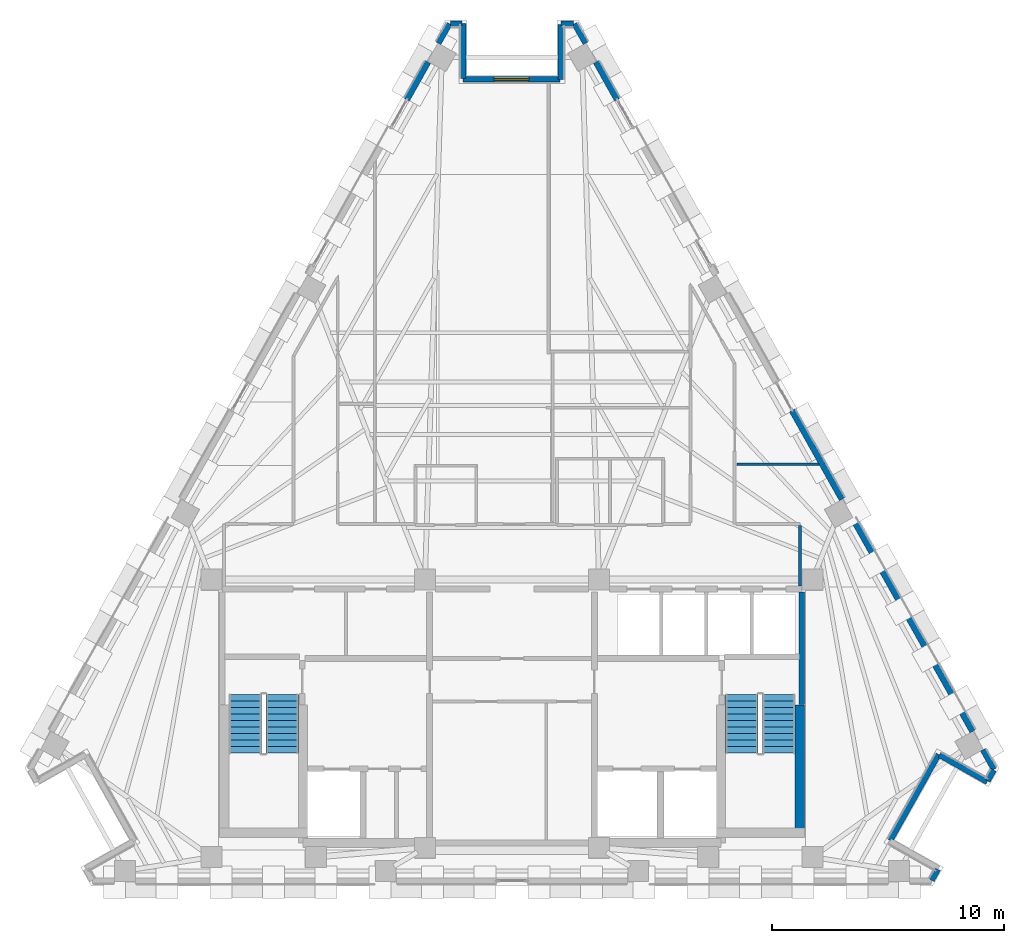
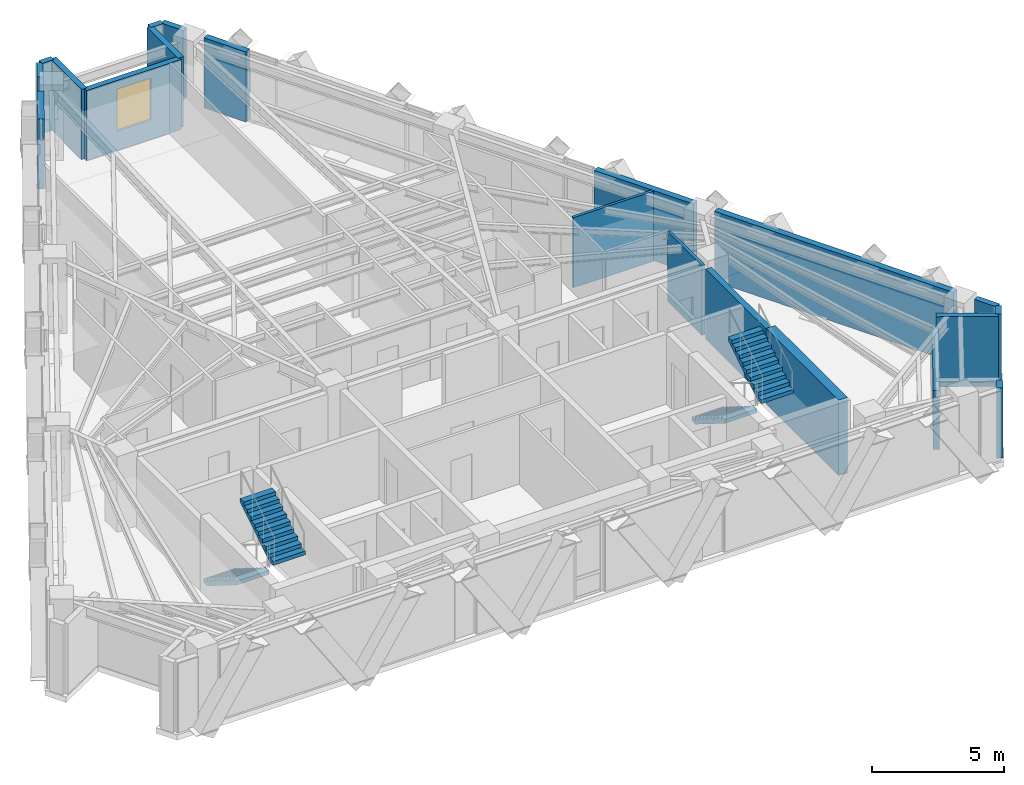
# One storey, part 9 of 12: 20 walls, 4 stair flights, 1 window, 1 opening, 2 elements without a shape of their own.
"""IFC4 building model written with IfcOpenShell, lengths in metres."""

from ifc_helpers import new_model, si_unit, direction, frame, frame_2d, origin, place, context, subcontext, project, spatial, polyline, rectangle, outline, extrude, material, layer, layer_set, type_object, element, fill, aggregate, save


model = new_model("IFC4")

# Units and contexts
model_context = context("Model", 3, precision=1e-05, world=origin(), true_north=direction((0.0, 1.0)))
body_context = subcontext(model_context, "Body", "Model", "MODEL_VIEW")
ifc_project = project(units=[si_unit("LENGTHUNIT", "METRE"), si_unit("AREAUNIT", "SQUARE_METRE"), si_unit("VOLUMEUNIT", "CUBIC_METRE"), si_unit("PLANEANGLEUNIT", "RADIAN"), si_unit("MASSUNIT", "GRAM", prefix="KILO")], contexts=[model_context])

# Site, building, storey
site_placement = place(None, origin())
site = spatial("IfcSite", under=ifc_project, at=site_placement, CompositionType="ELEMENT")
building_placement = place(site_placement, origin())
building = spatial("IfcBuilding", under=site, at=building_placement, Name="Quenlor Broadcast Tower", CompositionType="ELEMENT")
storey_placement = place(building_placement, frame((0.0, 0.0, 211.39990234375)))
storey = spatial("IfcBuildingStorey", under=building, at=storey_placement, Name="L58", CompositionType="ELEMENT", Elevation=211.39990234375)

# Walls
ifc_material_1 = material(Name="Concrete C50/60", Category="concrete")
ifc_layer_1 = layer(ifc_material_1, 0.39990234375)
ifc_layer_set_1 = layer_set([ifc_layer_1], Name="Core Concrete C50/60 Shear Wall 400")
wall_type_1 = type_object("IfcWallType", Name="Core Concrete C50/60 Shear Wall 400", PredefinedType="SHEAR", material=ifc_layer_set_1)
wall_1_placement = place(storey_placement, frame((12.39990234375, -15.699951171875, 0.0), z_axis=(0.0, 0.0, 1.0), x_axis=(0.0, 1.0, 0.0)))
element("IfcWall", 1, at=wall_1_placement, inside=storey, type_object=wall_type_1, Name="L58 Core Shear Wall WF-E", PredefinedType="SHEAR", context=body_context, shape_type="SweptSolid", body=[
    extrude(rectangle(XDim=5.5, YDim=0.39990234375, at=frame_2d((2.75, 0.0))), origin(), (0.0, 0.0, 1.0), 3.5),
])
ifc_material_2 = material(Name="Concrete C40/50", Category="concrete")
ifc_layer_2 = layer(ifc_material_2, 0.25)
ifc_layer_set_2 = layer_set([ifc_layer_2], Name="Fire Rated Concrete C40/50 Core Wall 250")
wall_type_2 = type_object("IfcWallType", Name="Fire Rated Concrete C40/50 Core Wall 250", PredefinedType="PARTITIONING", material=ifc_layer_set_2)
wall_2_placement = place(storey_placement, frame((12.47998046875, -10.179931640625, 0.0), z_axis=(0.0, 0.0, 1.0), x_axis=(0.0, 1.0, 0.0)))
element("IfcWall", 2, at=wall_2_placement, inside=storey, type_object=wall_type_2, Name="L58 Interior Wall CW-ST2-E2", PredefinedType="PARTITIONING", context=body_context, shape_type="SweptSolid", body=[
    extrude(rectangle(XDim=4.83984375, YDim=0.25, at=frame_2d((2.419921875, 0.0))), origin(), (0.0, 0.0, 1.0), 3.25),
])
ifc_material_3 = material(Name="Gypsum Plasterboard Partition", Category="other")
ifc_layer_3 = layer(ifc_material_3, 0.1201171875)
ifc_layer_set_3 = layer_set([ifc_layer_3], Name="Standard Office Partition 120")
wall_type_3 = type_object("IfcWallType", Name="Standard Office Partition 120", PredefinedType="PARTITIONING", material=ifc_layer_set_3)
wall_3_placement = place(storey_placement, frame((12.409912109375, -2.4619140625, 0.0), z_axis=(0.0, 0.0, 1.0), x_axis=(0.0, -1.0, 0.0)))
element("IfcWall", 3, at=wall_3_placement, inside=storey, type_object=wall_type_3, Name="L58 Interior Wall PW-CR-11", PredefinedType="PARTITIONING", context=body_context, shape_type="SweptSolid", body=[
    extrude(rectangle(XDim=2.611083984375, YDim=0.1201171875, at=frame_2d((1.3056640625, 0.0))), origin(), (0.0, 0.0, 1.0), 3.25),
])
wall_4_placement = place(storey_placement, frame((13.220458984375, 0.168701171875, 0.0), z_axis=(0.0, 0.0, 1.0), x_axis=(-1.0, 0.0, 0.0)))
element("IfcWall", 4, at=wall_4_placement, inside=storey, type_object=wall_type_3, Name="L58 Interior Wall PW-DV-09", PredefinedType="PARTITIONING", context=body_context, shape_type="SweptSolid", body=[
    extrude(rectangle(XDim=3.5205078125, YDim=0.1201171875, at=frame_2d((1.76025390625, 0.0))), origin(), (0.0, 0.0, 1.0), 3.25),
])
ifc_material_4 = material(Name="Precast concrete C40/50", Category="concrete")
ifc_layer_4 = layer(ifc_material_4, 0.239990234375)
ifc_layer_set_4 = layer_set([ifc_layer_4], Name="Terrace Threshold Precast Concrete C40/50 Wall 240")
wall_type_4 = type_object("IfcWallType", Name="Terrace Threshold Precast Concrete C40/50 Wall 240", PredefinedType="STANDARD", material=ifc_layer_set_4)
for number, where, z_axis, x_axis, name in (
    (5, (2.6953125, 19.1494140625, 0.0), (0.0, 0.0, 1.0), (0.490345412687, -0.87152818443, 0.0), "L58 Exterior Wall L58-SHD-NES0"),
    (6, (20.289794921875, -12.1298828125, 0.0), (0.0, 0.0, 1.0), (0.490345412687, -0.87152818443, 0.0), "L58 Exterior Wall L58-SHD-NES1"),
    (7, (-3.16796875, 18.309326171875, 0.0), (0.0, 0.0, 1.0), (0.490345412687, 0.87152818443, 0.0), "L58 Exterior Wall L58-SHD-NWS1"),
):
    element("IfcWall", number, at=place(storey_placement, frame(where, z_axis=z_axis, x_axis=x_axis)), inside=storey, type_object=wall_type_4, Name=name, PredefinedType="STANDARD", context=body_context, shape_type="SweptSolid", body=[
        extrude(rectangle(XDim=0.9638671875, YDim=0.239990234375, at=frame_2d((0.48193359375, 0.0))), origin(), (0.0, 0.0, 1.0), 3.25),
    ])
wall_5_placement = place(storey_placement, frame((16.293701171875, -16.035400390625, 0.0), z_axis=(0.0, 0.0, 1.0), x_axis=(0.49027487746, 0.871567865706, 0.0)))
element("IfcWall", 8, at=wall_5_placement, inside=storey, type_object=wall_type_4, Name="L58 Exterior Wall L58-CNR-02", PredefinedType="STANDARD", context=body_context, shape_type="SweptSolid", body=[
    extrude(rectangle(XDim=4.249755859375, YDim=0.239990234375, at=frame_2d((2.125, 0.0))), origin(), (0.0, 0.0, 1.0), 2.721923828125),
])
wall_6_placement = place(storey_placement, frame((18.412109375, -12.351318359375, 0.0), z_axis=(0.0, 0.0, 1.0), x_axis=(0.871578299909, -0.490256327984, 0.0)))
element("IfcWall", 9, at=wall_6_placement, inside=storey, type_object=wall_type_4, Name="L58 Exterior Wall L58-CNR-03", PredefinedType="STANDARD", context=body_context, shape_type="SweptSolid", body=[
    extrude(rectangle(XDim=2.35986328125, YDim=0.239990234375, at=frame_2d((1.179931640625, 0.0))), origin(), (0.0, 0.0, 1.0), 3.25),
])
wall_7_placement = place(storey_placement, frame((20.48876953125, -13.473388671875, 0.0), z_axis=(0.0, 0.0, 1.0), x_axis=(0.490133374867, 0.87164744871, 0.0)))
element("IfcWall", 10, at=wall_7_placement, inside=storey, type_object=wall_type_4, Name="L58 Exterior Wall L58-CNR-04", PredefinedType="STANDARD", context=body_context, shape_type="SweptSolid", body=[
    extrude(rectangle(XDim=0.5439453125, YDim=0.239990234375, at=frame_2d((0.27197265625, 0.0))), origin(), (0.0, 0.0, 1.0), 3.25),
])
wall_8_placement = place(storey_placement, frame((2.658447265625, 19.152099609375, 0.0), z_axis=(0.0, 0.0, 1.0), x_axis=(-1.0, 0.0, 0.0)))
element("IfcWall", 11, at=wall_8_placement, inside=storey, type_object=wall_type_4, Name="L58 Exterior Wall L58-CNR-06", PredefinedType="STANDARD", context=body_context, shape_type="SweptSolid", body=[
    extrude(rectangle(XDim=0.55224609375, YDim=0.239990234375, at=frame_2d((0.276123046875, 0.0))), origin(), (0.0, 0.0, 1.0), 3.25),
])
wall_9_placement = place(storey_placement, frame((2.106201171875, 19.112060546875, 0.0), z_axis=(0.0, 0.0, 1.0), x_axis=(0.0, -1.0, 0.0)))
element("IfcWall", 12, at=wall_9_placement, inside=storey, type_object=wall_type_4, Name="L58 Exterior Wall L58-CNR-07", PredefinedType="STANDARD", context=body_context, shape_type="SweptSolid", body=[
    extrude(rectangle(XDim=2.360107421875, YDim=0.239990234375, at=frame_2d((1.18017578125, 0.0))), origin(), (0.0, 0.0, 1.0), 3.25),
])

# Wall, opening, window
wall_10_placement = place(storey_placement, frame((2.066162109375, 16.751953125, 0.0), z_axis=(0.0, 0.0, 1.0), x_axis=(-1.0, 0.0, 0.0)))
wall_10 = element("IfcWall", 13, at=wall_10_placement, inside=storey, type_object=wall_type_4, Name="L58 Exterior Wall L58-CNR-08", PredefinedType="STANDARD", context=body_context, shape_type="SweptSolid", body=[
    extrude(rectangle(XDim=4.17236328125, YDim=0.239990234375, at=frame_2d((2.086181640625, 0.0))), origin(), (0.0, 0.0, 1.0), 3.25),
])
opening_placement = place(wall_10_placement, frame((1.3359375, 0.0, 0.89990234375)))
opening = element("IfcOpeningElement", 14, at=opening_placement, cuts=wall_10, Name="Opening WN-3", PredefinedType="OPENING", context=body_context, shape_type="SweptSolid", body=[
    extrude(rectangle(XDim=1.5, YDim=1.949951171875, at=frame_2d((0.75, 0.97509765625))), frame((0.0, 0.1298828125, 0.0), z_axis=(0.0, -1.0, 0.0), x_axis=(1.0, 0.0, 0.0)), (0.0, 0.0, 1.0), 0.260009765625),
])
ifc_material_5 = material(Name="Thermally Broken Aluminium and Low-E Glass", Category="aluminium")
window_type = type_object("IfcWindowType", Name="Upper Tower Facade Window 1500x1950", PartitioningType="SINGLE_PANEL", PredefinedType="WINDOW", material=ifc_material_5)
window_placement = place(opening_placement, origin())
window = element("IfcWindow", 15, at=window_placement, inside=storey, type_object=window_type, Name="L58 Corner Chamfer Window 8", OverallHeight=1.949951171875, OverallWidth=1.5, PartitioningType="SINGLE_PANEL", PredefinedType="WINDOW", context=body_context, shape_type="SweptSolid", body=[
    extrude(rectangle(XDim=1.5, YDim=1.949951171875, at=frame_2d((0.75, 0.97509765625))), frame((0.0, 0.030029296875, 0.0), z_axis=(0.0, -1.0, 0.0), x_axis=(1.0, 0.0, 0.0)), (0.0, 0.0, 1.0), 0.06005859375),
])
fill(opening, window)

# Walls
wall_11_placement = place(storey_placement, frame((-2.106201171875, 16.7919921875, 0.0), z_axis=(0.0, 0.0, 1.0), x_axis=(0.0, 1.0, 0.0)))
element("IfcWall", 16, at=wall_11_placement, inside=storey, type_object=wall_type_4, Name="L58 Exterior Wall L58-CNR-09", PredefinedType="STANDARD", context=body_context, shape_type="SweptSolid", body=[
    extrude(rectangle(XDim=2.360107421875, YDim=0.239990234375, at=frame_2d((1.18017578125, 0.0))), origin(), (0.0, 0.0, 1.0), 3.25),
])
wall_12_placement = place(storey_placement, frame((-2.146240234375, 19.152099609375, 0.0), z_axis=(0.0, 0.0, 1.0), x_axis=(-1.0, 0.0, 0.0)))
element("IfcWall", 17, at=wall_12_placement, inside=storey, type_object=wall_type_4, Name="L58 Exterior Wall L58-CNR-10", PredefinedType="STANDARD", context=body_context, shape_type="SweptSolid", body=[
    extrude(rectangle(XDim=0.51220703125, YDim=0.239990234375, at=frame_2d((0.256103515625, 0.0))), origin(), (0.0, 0.0, 1.0), 3.25),
])
wall_13_placement = place(storey_placement, frame((18.081298828125, -17.752685546875, 0.0), z_axis=(0.0, 0.0, 1.0), x_axis=(0.490582915772, 0.871394516136, 0.0)))
element("IfcWall", 18, at=wall_13_placement, inside=storey, type_object=wall_type_4, Name="L58 Exterior Wall L58-CNR-18", PredefinedType="STANDARD", context=body_context, shape_type="SweptSolid", body=[
    extrude(rectangle(XDim=0.54052734375, YDim=0.239990234375, at=frame_2d((0.270263671875, 0.0))), origin(), (0.0, 0.0, 1.0), 3.25),
])
ifc_material_6 = material(Name="Precast concrete C40/50", Category="concrete")
ifc_layer_5 = layer(ifc_material_6, 0.260009765625)
ifc_layer_set_5 = layer_set([ifc_layer_5], Name="Terracotta Precast Concrete C40/50 Upper Wall 260")
wall_type_5 = type_object("IfcWallType", Name="Terracotta Precast Concrete C40/50 Upper Wall 260", PredefinedType="STANDARD", material=ifc_layer_set_5)
wall_14_placement = place(storey_placement, frame((3.623779296875, 17.498779296875, 0.0), z_axis=(0.0, 0.0, 1.0), x_axis=(0.490261239633, -0.871575537125, 0.0)))
element("IfcWall", 19, at=wall_14_placement, inside=storey, type_object=wall_type_5, Name="L58 Exterior Wall L58-NEA-SP1", PredefinedType="STANDARD", context=body_context, shape_type="SweptSolid", body=[
    extrude(rectangle(XDim=1.85546875, YDim=0.260009765625, at=frame_2d((0.927734375, 0.0))), origin(), (0.0, 0.0, 1.0), 3.25),
])
wall_15_placement = place(storey_placement, frame((14.6708984375, -2.140380859375, 0.0), z_axis=(0.0, 0.0, 1.0), x_axis=(0.490246958575, -0.871583570066, 0.0)))
element("IfcWall", 20, at=wall_15_placement, inside=storey, type_object=wall_type_5, Name="L58 Exterior Wall L58-EW-NEC", PredefinedType="STANDARD", context=body_context, shape_type="SweptSolid", body=[
    extrude(rectangle(XDim=10.551513671875, YDim=0.260009765625, at=frame_2d((5.27587890625, 0.0))), origin(), (0.0, 0.0, 1.0), 3.25),
])
wall_16_placement = place(storey_placement, frame((12.066162109375, 2.489990234375, 0.0), z_axis=(0.0, 0.0, 1.0), x_axis=(0.490261239633, -0.871575537125, 0.0)))
element("IfcWall", 21, at=wall_16_placement, inside=storey, type_object=wall_type_5, Name="L58 Exterior Wall L58-NE-SP2", PredefinedType="STANDARD", context=body_context, shape_type="SweptSolid", body=[
    extrude(rectangle(XDim=4.3876953125, YDim=0.260009765625, at=frame_2d((2.19384765625, 0.0))), origin(), (0.0, 0.0, 1.0), 3.25),
])
wall_17_placement = place(storey_placement, frame((-4.533447265625, 15.881591796875, 0.0), z_axis=(0.0, 0.0, 1.0), x_axis=(0.490261239633, 0.871575537125, 0.0)))
element("IfcWall", 22, at=wall_17_placement, inside=storey, type_object=wall_type_5, Name="L58 Exterior Wall L58-NWC-SP3", PredefinedType="STANDARD", context=body_context, shape_type="SweptSolid", body=[
    extrude(rectangle(XDim=1.85546875, YDim=0.260009765625, at=frame_2d((0.927734375, 0.0))), origin(), (0.0, 0.0, 1.0), 3.25),
])

# Stair, stair flights
ifc_material_7 = material(Name="Precast concrete C40/50", Category="concrete")
stair_type = type_object("IfcStairType", Name="Precast Concrete C40/50 Dogleg Stair H350", PredefinedType="HALF_TURN_STAIR", material=ifc_material_7)
stair_1_placement = place(storey_placement, origin())
stair_1 = element("IfcStair", 23, at=stair_1_placement, inside=storey, type_object=stair_type, Name="L58 West Core Fire-Isolated Exit Stair ST-1", PredefinedType="HALF_TURN_STAIR")
ifc_material_8 = material(Name="Precast concrete C40/50", Category="concrete")
ifc_layer_6 = layer(ifc_material_8, 0.159912109375)
ifc_layer_set_6 = layer_set([ifc_layer_6], Name="Precast Concrete C40/50 Stair Flight H350")
stair_flight_type = type_object("IfcStairFlightType", Name="Precast Concrete C40/50 Stair Flight H350", PredefinedType="STRAIGHT", material=ifc_layer_set_6)
stair_flight_1_placement = place(storey_placement, frame((-11.5, -9.75, 0.0), z_axis=(0.0, 0.0, 1.0), x_axis=(0.0, -1.0, 0.0)))
stair_flight_1 = element("IfcStairFlight", 24, at=stair_flight_1_placement, type_object=stair_flight_type, Name="ST-1 flight 1", NumberOfRisers=10, NumberOfTreads=9, PredefinedType="STRAIGHT", RiserHeight=0.175, TreadLength=0.28, context=body_context, shape_type="SweptSolid", body=[
    extrude(outline(polyline([(0.0, 0.0), (0.0, 0.175048828125), (0.280029296875, 0.175048828125), (0.280029296875, 0.35009765625), (0.56005859375, 0.35009765625), (0.56005859375, 0.52490234375), (0.840087890625, 0.52490234375), (0.840087890625, 0.699951171875), (1.1201171875, 0.699951171875), (1.1201171875, 0.875), (1.39990234375, 0.875), (1.39990234375, 1.050048828125), (1.679931640625, 1.050048828125), (1.679931640625, 1.22509765625), (1.9599609375, 1.22509765625), (1.9599609375, 1.39990234375), (2.239990234375, 1.39990234375), (2.239990234375, 1.574951171875), (2.52001953125, 1.574951171875), (2.52001953125, 1.75), (2.52001953125, 1.398193359375), (0.28271484375, 0.0), (0.0, 0.0)])), frame((0.0, 0.699951171875, 0.0), z_axis=(0.0, -1.0, 0.0), x_axis=(1.0, 0.0, 0.0)), (0.0, 0.0, 1.0), 1.39990234375),
])
stair_flight_2_placement = place(storey_placement, frame((-9.89990234375, -12.27001953125, 1.75), z_axis=(0.0, 0.0, 1.0), x_axis=(0.0, 1.0, 0.0)))
stair_flight_2 = element("IfcStairFlight", 25, at=stair_flight_2_placement, type_object=stair_flight_type, Name="ST-1 flight 2", NumberOfRisers=10, NumberOfTreads=9, PredefinedType="STRAIGHT", RiserHeight=0.175, TreadLength=0.28, context=body_context, shape_type="SweptSolid", body=[
    extrude(outline(polyline([(0.0, 0.0), (0.0, 0.175048828125), (0.280029296875, 0.175048828125), (0.280029296875, 0.35009765625), (0.56005859375, 0.35009765625), (0.56005859375, 0.52490234375), (0.840087890625, 0.52490234375), (0.840087890625, 0.699951171875), (1.1201171875, 0.699951171875), (1.1201171875, 0.875), (1.39990234375, 0.875), (1.39990234375, 1.050048828125), (1.679931640625, 1.050048828125), (1.679931640625, 1.22509765625), (1.9599609375, 1.22509765625), (1.9599609375, 1.39990234375), (2.239990234375, 1.39990234375), (2.239990234375, 1.574951171875), (2.52001953125, 1.574951171875), (2.52001953125, 1.75), (2.52001953125, 1.398193359375), (0.28271484375, 0.0), (0.0, 0.0)])), frame((0.0, 0.699951171875, 0.0), z_axis=(0.0, -1.0, 0.0), x_axis=(1.0, 0.0, 0.0)), (0.0, 0.0, 1.0), 1.39990234375),
])
aggregate(stair_1, [stair_flight_1, stair_flight_2])

stair_2_placement = place(storey_placement, origin())
stair_2 = element("IfcStair", 26, at=stair_2_placement, inside=storey, type_object=stair_type, Name="L58 East Core Fire-Isolated Exit Stair ST-2", PredefinedType="HALF_TURN_STAIR")
stair_flight_3_placement = place(storey_placement, frame((9.89990234375, -9.75, 0.0), z_axis=(0.0, 0.0, 1.0), x_axis=(0.0, -1.0, 0.0)))
stair_flight_3 = element("IfcStairFlight", 27, at=stair_flight_3_placement, type_object=stair_flight_type, Name="ST-2 flight 1", NumberOfRisers=10, NumberOfTreads=9, PredefinedType="STRAIGHT", RiserHeight=0.175, TreadLength=0.28, context=body_context, shape_type="SweptSolid", body=[
    extrude(outline(polyline([(0.0, 0.0), (0.0, 0.175048828125), (0.280029296875, 0.175048828125), (0.280029296875, 0.35009765625), (0.56005859375, 0.35009765625), (0.56005859375, 0.52490234375), (0.840087890625, 0.52490234375), (0.840087890625, 0.699951171875), (1.1201171875, 0.699951171875), (1.1201171875, 0.875), (1.39990234375, 0.875), (1.39990234375, 1.050048828125), (1.679931640625, 1.050048828125), (1.679931640625, 1.22509765625), (1.9599609375, 1.22509765625), (1.9599609375, 1.39990234375), (2.239990234375, 1.39990234375), (2.239990234375, 1.574951171875), (2.52001953125, 1.574951171875), (2.52001953125, 1.75), (2.52001953125, 1.398193359375), (0.28271484375, 0.0), (0.0, 0.0)])), frame((0.0, 0.699951171875, 0.0), z_axis=(0.0, -1.0, 0.0), x_axis=(1.0, 0.0, 0.0)), (0.0, 0.0, 1.0), 1.39990234375),
])
stair_flight_4_placement = place(storey_placement, frame((11.5, -12.27001953125, 1.75), z_axis=(0.0, 0.0, 1.0), x_axis=(0.0, 1.0, 0.0)))
stair_flight_4 = element("IfcStairFlight", 28, at=stair_flight_4_placement, type_object=stair_flight_type, Name="ST-2 flight 2", NumberOfRisers=10, NumberOfTreads=9, PredefinedType="STRAIGHT", RiserHeight=0.175, TreadLength=0.28, context=body_context, shape_type="SweptSolid", body=[
    extrude(outline(polyline([(0.0, 0.0), (0.0, 0.175048828125), (0.280029296875, 0.175048828125), (0.280029296875, 0.35009765625), (0.56005859375, 0.35009765625), (0.56005859375, 0.52490234375), (0.840087890625, 0.52490234375), (0.840087890625, 0.699951171875), (1.1201171875, 0.699951171875), (1.1201171875, 0.875), (1.39990234375, 0.875), (1.39990234375, 1.050048828125), (1.679931640625, 1.050048828125), (1.679931640625, 1.22509765625), (1.9599609375, 1.22509765625), (1.9599609375, 1.39990234375), (2.239990234375, 1.39990234375), (2.239990234375, 1.574951171875), (2.52001953125, 1.574951171875), (2.52001953125, 1.75), (2.52001953125, 1.398193359375), (0.28271484375, 0.0), (0.0, 0.0)])), frame((0.0, 0.699951171875, 0.0), z_axis=(0.0, -1.0, 0.0), x_axis=(1.0, 0.0, 0.0)), (0.0, 0.0, 1.0), 1.39990234375),
])
aggregate(stair_2, [stair_flight_3, stair_flight_4])

save(model, "model.ifc")
